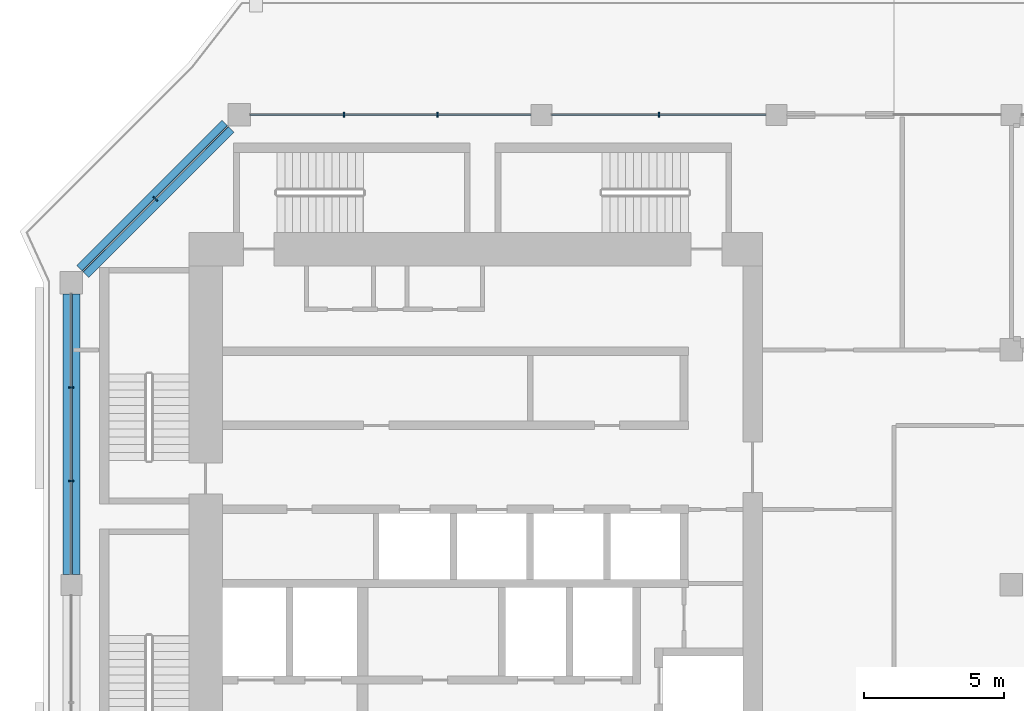
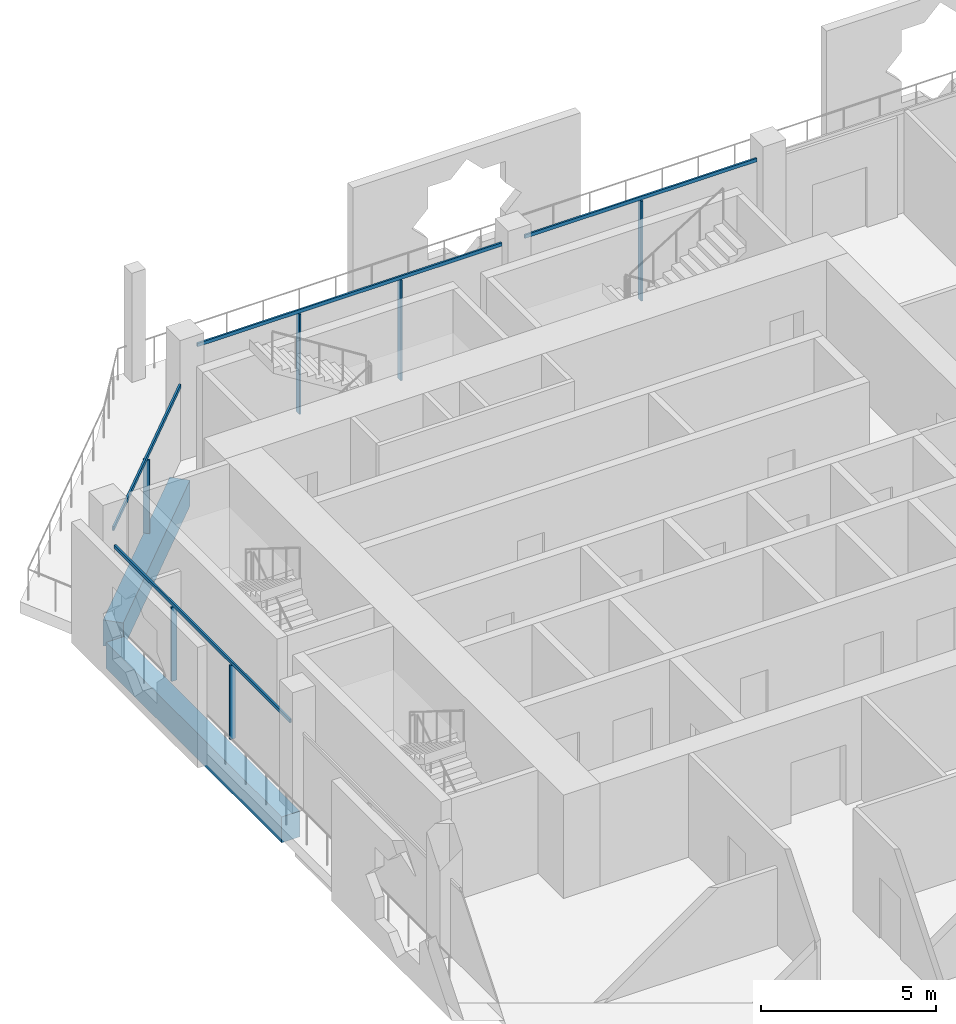
# One storey, part 6 of 20: 10 members, 2 beams, 3 elements without a shape of their own.
"""IFC4 building model written with IfcOpenShell, lengths in metres."""

from ifc_helpers import new_model, si_unit, direction, frame, origin, origin_2d, place, context, subcontext, project, spatial, rectangle, extrude, material, layer, layer_set, material_profile, profile_set, type_object, element, aggregate, save


model = new_model("IFC4")

# Units and contexts
model_context = context("Model", 3, precision=1e-05, world=origin(), true_north=direction((0.0, 1.0)))
body_context = subcontext(model_context, "Body", "Model", "MODEL_VIEW")
ifc_project = project(units=[si_unit("LENGTHUNIT", "METRE"), si_unit("AREAUNIT", "SQUARE_METRE"), si_unit("VOLUMEUNIT", "CUBIC_METRE"), si_unit("PLANEANGLEUNIT", "RADIAN"), si_unit("MASSUNIT", "GRAM", prefix="KILO")], contexts=[model_context])

# Site, building, storey
site_placement = place(None, origin())
site = spatial("IfcSite", under=ifc_project, at=site_placement, CompositionType="ELEMENT")
building_placement = place(site_placement, origin())
building = spatial("IfcBuilding", under=site, at=building_placement, Name="Kawkab Arch Medical Tower", CompositionType="ELEMENT")
storey_placement = place(building_placement, frame((0.0, 0.0, 290.199951171875)))
storey = spatial("IfcBuildingStorey", under=building, at=storey_placement, Name="L67", CompositionType="ELEMENT", Elevation=290.199951171875)

# Curtain wall, members
ifc_material_1 = material(Name="Bronze anodised aluminium curtain wall frame", Category="aluminium")
ifc_layer_1 = layer(ifc_material_1, 0.159912109375)
ifc_layer_set_1 = layer_set([ifc_layer_1], Name="Bronze anodised aluminium curtain wall frame")
curtain_wall_type_1 = type_object("IfcCurtainWallType", Name="CW1 ward curtain wall", PredefinedType="NOTDEFINED", material=ifc_layer_set_1)
placement = place(storey_placement, origin())
curtain_wall_1 = element("IfcCurtainWall", 1, at=placement, inside=storey, type_object=curtain_wall_type_1, Name="CW1 Ward curtain wall R02", PredefinedType="NOTDEFINED")
ifc_material_2 = material(Name="Bronze anodised aluminium curtain wall frame", Category="aluminium")
ifc_material_profile_1 = material_profile(ifc_material_2, rectangle(XDim=0.179931640625, YDim=0.06005859375, at=origin_2d()), Name="AL 60x180")
ifc_profile_set_1 = profile_set([ifc_material_profile_1], Name="Bronze anodised aluminium curtain wall frame")
member_type_1 = type_object("IfcMemberType", Name="CW1 mullion 60 x 180", PredefinedType="MULLION", material=ifc_profile_set_1)
member_1_placement = place(storey_placement, frame((0.0, -9.74169921875, 0.0), z_axis=(0.0, 0.0, 1.0), x_axis=(1.0, 0.0, 0.0)))
member_1 = element("IfcMember", 2, at=member_1_placement, type_object=member_type_1, Name="CW1 mullion 1.1", PredefinedType="MULLION", context=body_context, shape_type="SweptSolid", body=[
    extrude(rectangle(XDim=0.179931640625, YDim=0.06005859375, at=origin_2d()), origin(), (0.0, 0.0, 1.0), 2.580078125),
])
member_2_placement = place(storey_placement, frame((0.0, -13.083251953125, 0.0), z_axis=(0.0, 0.0, 1.0), x_axis=(1.0, 0.0, 0.0)))
member_2 = element("IfcMember", 3, at=member_2_placement, type_object=member_type_1, Name="CW1 mullion 1.2", PredefinedType="MULLION", context=body_context, shape_type="SweptSolid", body=[
    extrude(rectangle(XDim=0.179931640625, YDim=0.06005859375, at=origin_2d()), origin(), (0.0, 0.0, 1.0), 2.580078125),
])

curtain_wall_2 = element("IfcCurtainWall", 4, at=placement, inside=storey, type_object=curtain_wall_type_1, Name="CW1 Ward curtain wall R15", PredefinedType="NOTDEFINED")
member_3_placement = place(storey_placement, frame((21.0, 0.0, 0.0), z_axis=(0.0, 0.0, 1.0), x_axis=(0.0, -1.0, 0.0)))
member_3 = element("IfcMember", 5, at=member_3_placement, type_object=member_type_1, Name="CW1 mullion 4.1", PredefinedType="MULLION", context=body_context, shape_type="SweptSolid", body=[
    extrude(rectangle(XDim=0.179931640625, YDim=0.06005859375, at=origin_2d()), origin(), (0.0, 0.0, 1.0), 3.47998046875),
])
member_4_placement = place(storey_placement, frame((13.083251953125, 0.0, 0.0), z_axis=(0.0, 0.0, 1.0), x_axis=(0.0, -1.0, 0.0)))
member_4 = element("IfcMember", 6, at=member_4_placement, type_object=member_type_1, Name="CW1 mullion 5.1", PredefinedType="MULLION", context=body_context, shape_type="SweptSolid", body=[
    extrude(rectangle(XDim=0.179931640625, YDim=0.06005859375, at=origin_2d()), origin(), (0.0, 0.0, 1.0), 3.47998046875),
])
member_5_placement = place(storey_placement, frame((9.74169921875, 0.0, 0.0), z_axis=(0.0, 0.0, 1.0), x_axis=(0.0, -1.0, 0.0)))
member_5 = element("IfcMember", 7, at=member_5_placement, type_object=member_type_1, Name="CW1 mullion 5.2", PredefinedType="MULLION", context=body_context, shape_type="SweptSolid", body=[
    extrude(rectangle(XDim=0.179931640625, YDim=0.06005859375, at=origin_2d()), origin(), (0.0, 0.0, 1.0), 3.47998046875),
])

# Member
ifc_material_3 = material(Name="Bronze anodised aluminium curtain wall frame", Category="aluminium")
ifc_material_profile_2 = material_profile(ifc_material_3, rectangle(XDim=0.06005859375, YDim=0.1201171875, at=origin_2d()), Name="AL 60x120")
ifc_profile_set_2 = profile_set([ifc_material_profile_2], Name="Bronze anodised aluminium curtain wall frame")
member_type_2 = type_object("IfcMemberType", Name="CW1 transom 120 x 60", PredefinedType="USERDEFINED", material=ifc_profile_set_2)
member_6_placement = place(storey_placement, frame((0.0, -6.39990234375, 2.64013671875), z_axis=(0.0, -1.0, 0.0), x_axis=(1.0, 0.0, 0.0)))
member_6 = element("IfcMember", 8, at=member_6_placement, type_object=member_type_2, Name="CW1 transom 1", ObjectType="TRANSOM", PredefinedType="USERDEFINED", context=body_context, shape_type="SweptSolid", body=[
    extrude(rectangle(XDim=0.06005859375, YDim=0.1201171875, at=origin_2d()), origin(), (0.0, 0.0, 1.0), 10.025146484375),
])

aggregate(curtain_wall_1, [member_6, member_1, member_2])

member_7_placement = place(storey_placement, frame((24.824951171875, 0.0, 3.5400390625), z_axis=(-1.0, 0.0, 0.0), x_axis=(0.0, -1.0, 0.0)))
member_7 = element("IfcMember", 9, at=member_7_placement, type_object=member_type_2, Name="CW1 transom 4", ObjectType="TRANSOM", PredefinedType="USERDEFINED", context=body_context, shape_type="SweptSolid", body=[
    extrude(rectangle(XDim=0.06005859375, YDim=0.1201171875, at=origin_2d()), origin(), (0.0, 0.0, 1.0), 7.64990234375),
])

member_8_placement = place(storey_placement, frame((16.425048828125, 0.0, 3.5400390625), z_axis=(-1.0, 0.0, 0.0), x_axis=(0.0, -1.0, 0.0)))
member_8 = element("IfcMember", 10, at=member_8_placement, type_object=member_type_2, Name="CW1 transom 5", ObjectType="TRANSOM", PredefinedType="USERDEFINED", context=body_context, shape_type="SweptSolid", body=[
    extrude(rectangle(XDim=0.06005859375, YDim=0.1201171875, at=origin_2d()), origin(), (0.0, 0.0, 1.0), 10.025146484375),
])

aggregate(curtain_wall_2, [member_7, member_3, member_8, member_4, member_5])

# Curtain wall, members
ifc_material_4 = material(Name="Bronze anodised aluminium curtain wall frame", Category="aluminium")
ifc_layer_2 = layer(ifc_material_4, 0.159912109375)
ifc_layer_set_2 = layer_set([ifc_layer_2], Name="Bronze anodised aluminium curtain wall frame")
curtain_wall_type_2 = type_object("IfcCurtainWallType", Name="CW2 chamfer curtain wall", PredefinedType="NOTDEFINED", material=ifc_layer_set_2)
curtain_wall_3 = element("IfcCurtainWall", 11, at=placement, inside=storey, type_object=curtain_wall_type_2, Name="CW2 Chamfer curtain wall R01", PredefinedType="NOTDEFINED")
ifc_material_5 = material(Name="Bronze anodised aluminium curtain wall frame", Category="aluminium")
ifc_material_profile_3 = material_profile(ifc_material_5, rectangle(XDim=0.199951171875, YDim=0.06005859375, at=origin_2d()), Name="AL 60x200")
ifc_profile_set_3 = profile_set([ifc_material_profile_3], Name="Bronze anodised aluminium curtain wall frame")
member_type_3 = type_object("IfcMemberType", Name="CW2 mullion 60 x 200", PredefinedType="MULLION", material=ifc_profile_set_3)
member_9_placement = place(storey_placement, frame((3.0, -3.0, 0.0), z_axis=(0.0, 0.0, 1.0), x_axis=(0.707106781187, -0.707106781187, 0.0)))
member_9 = element("IfcMember", 12, at=member_9_placement, type_object=member_type_3, Name="CW2 mullion 1.1", PredefinedType="MULLION", context=body_context, shape_type="SweptSolid", body=[
    extrude(rectangle(XDim=0.199951171875, YDim=0.06005859375, at=origin_2d()), origin(), (0.0, 0.0, 1.0), 2.56005859375),
])
ifc_material_6 = material(Name="Bronze anodised aluminium curtain wall frame", Category="aluminium")
ifc_material_profile_4 = material_profile(ifc_material_6, rectangle(XDim=0.06005859375, YDim=0.139892578125, at=origin_2d()), Name="AL 60x140")
ifc_profile_set_4 = profile_set([ifc_material_profile_4], Name="Bronze anodised aluminium curtain wall frame")
member_type_4 = type_object("IfcMemberType", Name="CW2 transom 140 x 60", PredefinedType="USERDEFINED", material=ifc_profile_set_4)
member_10_placement = place(storey_placement, frame((5.60009765625, -0.39990234375, 2.630126953125), z_axis=(-0.707106781187, -0.707106781187, 0.0), x_axis=(0.707106781187, -0.707106781187, 0.0)))
member_10 = element("IfcMember", 13, at=member_10_placement, type_object=member_type_4, Name="CW2 transom 1", ObjectType="TRANSOM", PredefinedType="USERDEFINED", context=body_context, shape_type="SweptSolid", body=[
    extrude(rectangle(XDim=0.06005859375, YDim=0.139892578125, at=origin_2d()), origin(), (0.0, 0.0, 1.0), 7.354248046875),
])
aggregate(curtain_wall_3, [member_10, member_9])

# Beams
ifc_material_7 = material(Name="Concrete C40/50", Category="concrete")
ifc_material_profile_5 = material_profile(ifc_material_7, rectangle(XDim=0.60009765625, YDim=0.89990234375, at=origin_2d()), Name="RC 600x900")
ifc_profile_set_5 = profile_set([ifc_material_profile_5], Name="Concrete C40/50")
beam_type = type_object("IfcBeamType", Name="RC 600x900 beam C40/50", PredefinedType="BEAM", material=ifc_profile_set_5)
beam_1_placement = place(storey_placement, frame((0.39990234375, -5.60009765625, -1.050048828125), z_axis=(0.707106781187, 0.707106781187, 0.0), x_axis=(-0.707106781187, 0.707106781187, 0.0)))
element("IfcBeam", 14, at=beam_1_placement, inside=storey, type_object=beam_type, Name="Overhang edge beam L67-01", PredefinedType="BEAM", context=body_context, shape_type="SweptSolid", body=[
    extrude(rectangle(XDim=0.60009765625, YDim=0.89990234375, at=origin_2d()), origin(), (0.0, 0.0, 1.0), 7.354248046875),
])
beam_2_placement = place(storey_placement, frame((0.0, -16.425048828125, -1.050048828125), z_axis=(0.0, 1.0, 0.0), x_axis=(-1.0, 0.0, 0.0)))
element("IfcBeam", 15, at=beam_2_placement, inside=storey, type_object=beam_type, Name="Overhang edge beam L67-03", PredefinedType="BEAM", context=body_context, shape_type="SweptSolid", body=[
    extrude(rectangle(XDim=0.60009765625, YDim=0.89990234375, at=origin_2d()), origin(), (0.0, 0.0, 1.0), 10.025146484375),
])

save(model, "model.ifc")
